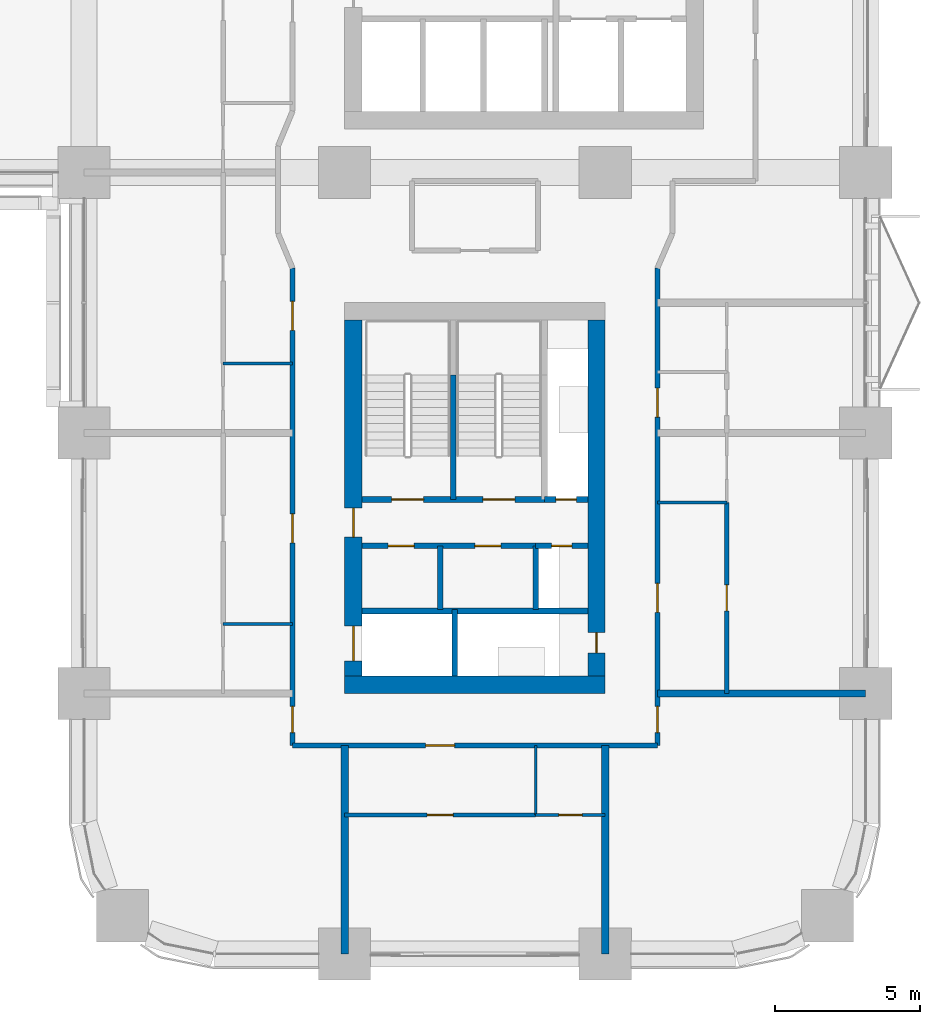
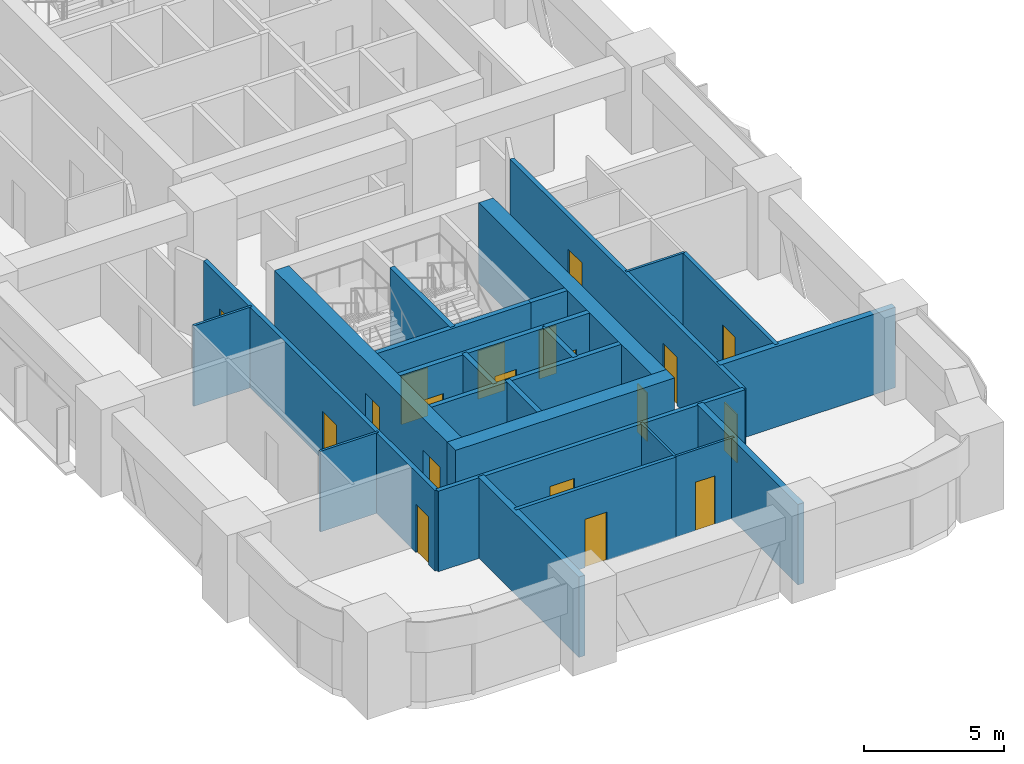
# One storey, part 12 of 18: 25 walls, 19 doors, 19 openings.
"""IFC4 building model written with IfcOpenShell, lengths in metres."""

from ifc_helpers import new_model, si_unit, direction, frame, frame_2d, origin, place, context, subcontext, project, spatial, rectangle, extrude, material, layer, layer_set, type_object, element, fill, save


model = new_model("IFC4")

# Units and contexts
model_context = context("Model", 3, precision=1e-05, world=origin(), true_north=direction((0.0, 1.0)))
body_context = subcontext(model_context, "Body", "Model", "MODEL_VIEW")
ifc_project = project(units=[si_unit("LENGTHUNIT", "METRE"), si_unit("AREAUNIT", "SQUARE_METRE"), si_unit("VOLUMEUNIT", "CUBIC_METRE"), si_unit("PLANEANGLEUNIT", "RADIAN"), si_unit("MASSUNIT", "GRAM", prefix="KILO")], contexts=[model_context])

# Site, building, storey
site_placement = place(None, origin())
site = spatial("IfcSite", under=ifc_project, at=site_placement, CompositionType="ELEMENT")
building_placement = place(site_placement, origin())
building = spatial("IfcBuilding", under=site, at=building_placement, Name="Tessera Arch", CompositionType="ELEMENT")
storey_placement = place(building_placement, frame((0.0, 0.0, 104.39990234375)))
storey = spatial("IfcBuildingStorey", under=building, at=storey_placement, Name="L24", CompositionType="ELEMENT", Elevation=104.39990234375)

# Wall
ifc_material_1 = material(Name="Gypsum board on steel stud", Category="steel")
ifc_layer_1 = layer(ifc_material_1, 0.125)
ifc_layer_set_1 = layer_set([ifc_layer_1], Name="Core partition 125 EI 60")
wall_type_1 = type_object("IfcWallType", Name="Core partition 125 EI 60", PredefinedType="PARTITIONING", material=ifc_layer_set_1)
wall_1_placement = place(storey_placement, frame((39.300048828125, 11.89990234375, 0.0), z_axis=(0.0, 0.0, 1.0), x_axis=(0.0, 1.0, 0.0)))
element("IfcWall", 1, at=wall_1_placement, inside=storey, type_object=wall_type_1, Name="L24 C3 partition wall 1", PredefinedType="PARTITIONING", context=body_context, shape_type="SweptSolid", body=[
    extrude(rectangle(XDim=2.2001953125, YDim=0.199951171875, at=frame_2d((1.10009765625, 0.0))), origin(), (0.0, 0.0, 1.0), 3.5),
])

# Wall, openings, doors
wall_2_placement = place(storey_placement, frame((36.60009765625, 14.10009765625, 0.0), z_axis=(0.0, 0.0, 1.0), x_axis=(1.0, 0.0, 0.0)))
wall_2 = element("IfcWall", 2, at=wall_2_placement, inside=storey, type_object=wall_type_1, Name="L24 C3 partition wall 9", PredefinedType="PARTITIONING", context=body_context, shape_type="SweptSolid", body=[
    extrude(rectangle(XDim=6.0, YDim=0.199951171875, at=frame_2d((3.0, 0.0))), origin(), (0.0, 0.0, 1.0), 3.5),
])
opening_1_placement = place(wall_2_placement, frame((0.89990234375, 0.0, 0.0)))
opening_1 = element("IfcOpeningElement", 3, at=opening_1_placement, cuts=wall_2, Name="Opening L24-C38", PredefinedType="OPENING", context=body_context, shape_type="SweptSolid", body=[
    extrude(rectangle(XDim=0.89990234375, YDim=2.10009765625, at=frame_2d((0.449951171875, 1.050048828125))), frame((0.0, 0.10986328125, 0.0), z_axis=(0.0, -1.0, 0.0), x_axis=(1.0, 0.0, 0.0)), (0.0, 0.0, 1.0), 0.219970703125),
])
opening_2_placement = place(wall_2_placement, frame((3.89990234375, 0.0, 0.0)))
opening_2 = element("IfcOpeningElement", 4, at=opening_2_placement, cuts=wall_2, Name="Opening L24-C39", PredefinedType="OPENING", context=body_context, shape_type="SweptSolid", body=[
    extrude(rectangle(XDim=0.89990234375, YDim=2.10009765625, at=frame_2d((0.449951171875, 1.050048828125))), frame((0.0, 0.10986328125, 0.0), z_axis=(0.0, -1.0, 0.0), x_axis=(1.0, 0.0, 0.0)), (0.0, 0.0, 1.0), 0.219970703125),
])
ifc_material_2 = material(Name="Steel door leaf", Category="steel")
door_type_1 = type_object("IfcDoorType", Name="Store door FD30S 900 x 2100", OperationType="SINGLE_SWING_LEFT", PredefinedType="DOOR", material=ifc_material_2)
door_1_placement = place(opening_1_placement, origin())
door_1 = element("IfcDoor", 5, at=door_1_placement, inside=storey, type_object=door_type_1, Name="L24 C3 door 8 C38 type D09", OperationType="SINGLE_SWING_LEFT", OverallHeight=2.10009765625, OverallWidth=0.89990234375, PredefinedType="DOOR", context=body_context, shape_type="SweptSolid", body=[
    extrude(rectangle(XDim=0.89990234375, YDim=2.10009765625, at=frame_2d((0.449951171875, 1.050048828125))), frame((0.0, 0.02490234375, 0.0), z_axis=(0.0, -1.0, 0.0), x_axis=(1.0, 0.0, 0.0)), (0.0, 0.0, 1.0), 0.050048828125),
])
fill(opening_1, door_1)
door_2_placement = place(opening_2_placement, origin())
door_2 = element("IfcDoor", 6, at=door_2_placement, inside=storey, type_object=door_type_1, Name="L24 C3 door 9 C39 type D09", OperationType="SINGLE_SWING_RIGHT", OverallHeight=2.10009765625, OverallWidth=0.89990234375, PredefinedType="DOOR", context=body_context, shape_type="SweptSolid", body=[
    extrude(rectangle(XDim=0.89990234375, YDim=2.10009765625, at=frame_2d((0.449951171875, 1.050048828125))), frame((0.0, 0.02490234375, 0.0), z_axis=(0.0, -1.0, 0.0), x_axis=(1.0, 0.0, 0.0)), (0.0, 0.0, 1.0), 0.050048828125),
])
fill(opening_2, door_2)

# Wall
ifc_material_3 = material(Name="Concrete C70/85", Category="concrete")
ifc_layer_2 = layer(ifc_material_3, 0.60009765625)
ifc_layer_set_2 = layer_set([ifc_layer_2], Name="Core shell wall 600 C70-85")
wall_type_2 = type_object("IfcWallType", Name="Core shell wall 600 C70-85", PredefinedType="SHEAR", material=ifc_layer_set_2)
wall_3_placement = place(storey_placement, frame((36.0, 9.300048828125, 0.0), z_axis=(0.0, 0.0, 1.0), x_axis=(1.0, 0.0, 0.0)))
element("IfcWall", 7, at=wall_3_placement, inside=storey, type_object=wall_type_2, Name="L24 C3 core wall S", PredefinedType="SHEAR", context=body_context, shape_type="SweptSolid", body=[
    extrude(rectangle(XDim=9.0, YDim=0.60009765625, at=frame_2d((4.5, 0.0))), origin(), (0.0, 0.0, 1.0), 3.5),
])

# Wall, openings, doors
wall_4_placement = place(storey_placement, frame((36.300048828125, 9.60009765625, 0.0), z_axis=(0.0, 0.0, 1.0), x_axis=(0.0, 1.0, 0.0)))
wall_4 = element("IfcWall", 8, at=wall_4_placement, inside=storey, type_object=wall_type_2, Name="L24 C3 core wall W", PredefinedType="SHEAR", context=body_context, shape_type="SweptSolid", body=[
    extrude(rectangle(XDim=12.2998046875, YDim=0.60009765625, at=frame_2d((6.14990234375, 0.0))), origin(), (0.0, 0.0, 1.0), 3.5),
])
opening_3_placement = place(wall_4_placement, frame((0.52490234375, 0.0, 0.0)))
opening_3 = element("IfcOpeningElement", 9, at=opening_3_placement, cuts=wall_4, Name="Opening L24-C31", PredefinedType="OPENING", context=body_context, shape_type="SweptSolid", body=[
    extrude(rectangle(XDim=1.199951171875, YDim=2.10009765625, at=frame_2d((0.60009765625, 1.050048828125))), frame((0.0, 0.31005859375, 0.0), z_axis=(0.0, -1.0, 0.0), x_axis=(1.0, 0.0, 0.0)), (0.0, 0.0, 1.0), 0.6201171875),
])
opening_4_placement = place(wall_4_placement, frame((4.800048828125, 0.0, 0.0)))
opening_4 = element("IfcOpeningElement", 10, at=opening_4_placement, cuts=wall_4, Name="Opening L24-C37", PredefinedType="OPENING", context=body_context, shape_type="SweptSolid", body=[
    extrude(rectangle(XDim=1.0, YDim=2.10009765625, at=frame_2d((0.5, 1.050048828125))), frame((0.0, 0.31005859375, 0.0), z_axis=(0.0, -1.0, 0.0), x_axis=(1.0, 0.0, 0.0)), (0.0, 0.0, 1.0), 0.6201171875),
])
ifc_material_4 = material(Name="Steel door leaf", Category="steel")
door_type_2 = type_object("IfcDoorType", Name="Corridor door FD60 1000 x 2100", OperationType="SINGLE_SWING_LEFT", PredefinedType="DOOR", material=ifc_material_4)
door_3_placement = place(opening_4_placement, origin())
door_3 = element("IfcDoor", 11, at=door_3_placement, inside=storey, type_object=door_type_2, Name="L24 C3 door 7 C37 type D12", OperationType="SINGLE_SWING_LEFT", OverallHeight=2.10009765625, OverallWidth=1.0, PredefinedType="DOOR", context=body_context, shape_type="SweptSolid", body=[
    extrude(rectangle(XDim=1.0, YDim=2.10009765625, at=frame_2d((0.5, 1.050048828125))), frame((0.0, 0.02490234375, 0.0), z_axis=(0.0, -1.0, 0.0), x_axis=(1.0, 0.0, 0.0)), (0.0, 0.0, 1.0), 0.050048828125),
])
fill(opening_4, door_3)
ifc_material_5 = material(Name="Stainless steel AISI 304", Category="steel")
door_type_3 = type_object("IfcDoorType", Name="Sliding landing door 1200 x 2100", OperationType="SLIDING_TO_LEFT", PredefinedType="DOOR", material=ifc_material_5)
door_4_placement = place(opening_3_placement, origin())
door_4 = element("IfcDoor", 12, at=door_4_placement, inside=storey, type_object=door_type_3, Name="L24 SV1 lift landing door C31 type LD", OperationType="SLIDING_TO_LEFT", OverallHeight=2.10009765625, OverallWidth=1.199951171875, PredefinedType="DOOR", context=body_context, shape_type="SweptSolid", body=[
    extrude(rectangle(XDim=1.199951171875, YDim=2.10009765625, at=frame_2d((0.60009765625, 1.050048828125))), frame((0.0, 0.02490234375, 0.0), z_axis=(0.0, -1.0, 0.0), x_axis=(1.0, 0.0, 0.0)), (0.0, 0.0, 1.0), 0.050048828125),
])
fill(opening_3, door_4)

# Wall, opening, door
wall_5_placement = place(storey_placement, frame((44.699951171875, 9.60009765625, 0.0), z_axis=(0.0, 0.0, 1.0), x_axis=(0.0, 1.0, 0.0)))
wall_5 = element("IfcWall", 13, at=wall_5_placement, inside=storey, type_object=wall_type_2, Name="L24 C3 core wall E", PredefinedType="SHEAR", context=body_context, shape_type="SweptSolid", body=[
    extrude(rectangle(XDim=12.2998046875, YDim=0.60009765625, at=frame_2d((6.14990234375, 0.0))), origin(), (0.0, 0.0, 1.0), 3.5),
])
opening_5_placement = place(wall_5_placement, frame((0.800048828125, 0.0, 0.0)))
opening_5 = element("IfcOpeningElement", 14, at=opening_5_placement, cuts=wall_5, Name="Opening L24-C36", PredefinedType="OPENING", context=body_context, shape_type="SweptSolid", body=[
    extrude(rectangle(XDim=0.699951171875, YDim=2.10009765625, at=frame_2d((0.35009765625, 1.050048828125))), frame((0.0, 0.31005859375, 0.0), z_axis=(0.0, -1.0, 0.0), x_axis=(1.0, 0.0, 0.0)), (0.0, 0.0, 1.0), 0.6201171875),
])
ifc_material_6 = material(Name="Steel door leaf", Category="steel")
door_type_4 = type_object("IfcDoorType", Name="Service shaft door FD60 700 x 2100", OperationType="SINGLE_SWING_LEFT", PredefinedType="DOOR", material=ifc_material_6)
door_5_placement = place(opening_5_placement, origin())
door_5 = element("IfcDoor", 15, at=door_5_placement, inside=storey, type_object=door_type_4, Name="L24 C3 door 6 C36 type D07", OperationType="SINGLE_SWING_LEFT", OverallHeight=2.10009765625, OverallWidth=0.699951171875, PredefinedType="DOOR", context=body_context, shape_type="SweptSolid", body=[
    extrude(rectangle(XDim=0.699951171875, YDim=2.10009765625, at=frame_2d((0.35009765625, 1.050048828125))), frame((0.0, 0.02490234375, 0.0), z_axis=(0.0, -1.0, 0.0), x_axis=(1.0, 0.0, 0.0)), (0.0, 0.0, 1.0), 0.050048828125),
])
fill(opening_5, door_5)

ifc_material_7 = material(Name="Gypsum board on deep steel stud with mineral wool", Category="steel")
ifc_layer_3 = layer(ifc_material_7, 0.175048828125)
ifc_layer_set_3 = layer_set([ifc_layer_3], Name="Corridor wall 175 EI 60")
wall_type_3 = type_object("IfcWallType", Name="Corridor wall 175 EI 60", PredefinedType="PARTITIONING", material=ifc_layer_set_3)
wall_6_placement = place(storey_placement, frame((34.199951171875, 7.199951171875, 0.0), z_axis=(0.0, 0.0, 1.0), x_axis=(1.0, 0.0, 0.0)))
wall_6 = element("IfcWall", 16, at=wall_6_placement, inside=storey, type_object=wall_type_3, Name="L24 partition 1", PredefinedType="PARTITIONING", context=body_context, shape_type="SweptSolid", body=[
    extrude(rectangle(XDim=12.60009765625, YDim=0.175048828125, at=frame_2d((6.300048828125, 0.0))), origin(), (0.0, 0.0, 1.0), 3.5),
])
opening_6_placement = place(wall_6_placement, frame((4.60009765625, 0.0, 0.0)))
opening_6 = element("IfcOpeningElement", 17, at=opening_6_placement, cuts=wall_6, Name="Opening L24-D001", PredefinedType="OPENING", context=body_context, shape_type="SweptSolid", body=[
    extrude(rectangle(XDim=1.0, YDim=2.10009765625, at=frame_2d((0.5, 1.050048828125))), frame((0.0, 0.097412109375, 0.0), z_axis=(0.0, -1.0, 0.0), x_axis=(1.0, 0.0, 0.0)), (0.0, 0.0, 1.0), 0.195068359375),
])
ifc_material_8 = material(Name="Fire-rated door leaf")
door_type_5 = type_object("IfcDoorType", Name="Entrance door FD30S 1000 x 2100", OperationType="SINGLE_SWING_LEFT", PredefinedType="DOOR", material=ifc_material_8)
door_6_placement = place(opening_6_placement, origin())
door_6 = element("IfcDoor", 18, at=door_6_placement, inside=storey, type_object=door_type_5, Name="L24 door D001 type D03", OperationType="SINGLE_SWING_RIGHT", OverallHeight=2.10009765625, OverallWidth=1.0, PredefinedType="DOOR", context=body_context, shape_type="SweptSolid", body=[
    extrude(rectangle(XDim=1.0, YDim=2.10009765625, at=frame_2d((0.5, 1.050048828125))), frame((0.0, 0.02490234375, 0.0), z_axis=(0.0, -1.0, 0.0), x_axis=(1.0, 0.0, 0.0)), (0.0, 0.0, 1.0), 0.050048828125),
])
fill(opening_6, door_6)

# Wall, openings, doors
wall_7_placement = place(storey_placement, frame((34.199951171875, 7.199951171875, 0.0), z_axis=(0.0, 0.0, 1.0), x_axis=(0.0, 1.0, 0.0)))
wall_7 = element("IfcWall", 19, at=wall_7_placement, inside=storey, type_object=wall_type_3, Name="L24 partition 12", PredefinedType="PARTITIONING", context=body_context, shape_type="SweptSolid", body=[
    extrude(rectangle(XDim=16.489990234375, YDim=0.175048828125, at=frame_2d((8.2451171875, 0.0))), origin(), (0.0, 0.0, 1.0), 3.5),
])
opening_7_placement = place(wall_7_placement, frame((0.449951171875, 0.0, 0.0)))
opening_7 = element("IfcOpeningElement", 20, at=opening_7_placement, cuts=wall_7, Name="Opening L24-D004", PredefinedType="OPENING", context=body_context, shape_type="SweptSolid", body=[
    extrude(rectangle(XDim=0.89990234375, YDim=2.10009765625, at=frame_2d((0.449951171875, 1.050048828125))), frame((0.0, 0.097412109375, 0.0), z_axis=(0.0, -1.0, 0.0), x_axis=(1.0, 0.0, 0.0)), (0.0, 0.0, 1.0), 0.195068359375),
])
opening_8_placement = place(wall_7_placement, frame((7.0, 0.0, 0.0)))
opening_8 = element("IfcOpeningElement", 21, at=opening_8_placement, cuts=wall_7, Name="Opening L24-D006", PredefinedType="OPENING", context=body_context, shape_type="SweptSolid", body=[
    extrude(rectangle(XDim=1.0, YDim=2.10009765625, at=frame_2d((0.5, 1.050048828125))), frame((0.0, 0.097412109375, 0.0), z_axis=(0.0, -1.0, 0.0), x_axis=(1.0, 0.0, 0.0)), (0.0, 0.0, 1.0), 0.195068359375),
])
opening_9_placement = place(wall_7_placement, frame((14.344970703125, 0.0, 0.0)))
opening_9 = element("IfcOpeningElement", 22, at=opening_9_placement, cuts=wall_7, Name="Opening L24-D015", PredefinedType="OPENING", context=body_context, shape_type="SweptSolid", body=[
    extrude(rectangle(XDim=1.0, YDim=2.10009765625, at=frame_2d((0.5, 1.050048828125))), frame((0.0, 0.097412109375, 0.0), z_axis=(0.0, -1.0, 0.0), x_axis=(1.0, 0.0, 0.0)), (0.0, 0.0, 1.0), 0.195068359375),
])
door_7_placement = place(opening_8_placement, origin())
door_7 = element("IfcDoor", 23, at=door_7_placement, inside=storey, type_object=door_type_5, Name="L24 door D006 type D03", OperationType="SINGLE_SWING_RIGHT", OverallHeight=2.10009765625, OverallWidth=1.0, PredefinedType="DOOR", context=body_context, shape_type="SweptSolid", body=[
    extrude(rectangle(XDim=1.0, YDim=2.10009765625, at=frame_2d((0.5, 1.050048828125))), frame((0.0, 0.02490234375, 0.0), z_axis=(0.0, -1.0, 0.0), x_axis=(1.0, 0.0, 0.0)), (0.0, 0.0, 1.0), 0.050048828125),
])
fill(opening_8, door_7)
door_8_placement = place(opening_9_placement, origin())
door_8 = element("IfcDoor", 24, at=door_8_placement, inside=storey, type_object=door_type_5, Name="L24 door D015 type D03", OperationType="SINGLE_SWING_LEFT", OverallHeight=2.10009765625, OverallWidth=1.0, PredefinedType="DOOR", context=body_context, shape_type="SweptSolid", body=[
    extrude(rectangle(XDim=1.0, YDim=2.10009765625, at=frame_2d((0.5, 1.050048828125))), frame((0.0, 0.02490234375, 0.0), z_axis=(0.0, -1.0, 0.0), x_axis=(1.0, 0.0, 0.0)), (0.0, 0.0, 1.0), 0.050048828125),
])
fill(opening_9, door_8)
ifc_material_9 = material(Name="Timber door leaf", Category="wood")
door_type_6 = type_object("IfcDoorType", Name="Room door 900 x 2100", OperationType="SINGLE_SWING_LEFT", PredefinedType="DOOR", material=ifc_material_9)
door_9_placement = place(opening_7_placement, origin())
door_9 = element("IfcDoor", 25, at=door_9_placement, inside=storey, type_object=door_type_6, Name="L24 door D004 type D01", OperationType="SINGLE_SWING_RIGHT", OverallHeight=2.10009765625, OverallWidth=0.89990234375, PredefinedType="DOOR", context=body_context, shape_type="SweptSolid", body=[
    extrude(rectangle(XDim=0.89990234375, YDim=2.10009765625, at=frame_2d((0.449951171875, 1.050048828125))), frame((0.0, 0.02490234375, 0.0), z_axis=(0.0, -1.0, 0.0), x_axis=(1.0, 0.0, 0.0)), (0.0, 0.0, 1.0), 0.050048828125),
])
fill(opening_7, door_9)

wall_8_placement = place(storey_placement, frame((46.800048828125, 7.199951171875, 0.0), z_axis=(0.0, 0.0, 1.0), x_axis=(0.0, 1.0, 0.0)))
wall_8 = element("IfcWall", 26, at=wall_8_placement, inside=storey, type_object=wall_type_3, Name="L24 partition 16", PredefinedType="PARTITIONING", context=body_context, shape_type="SweptSolid", body=[
    extrude(rectangle(XDim=16.489990234375, YDim=0.175048828125, at=frame_2d((8.2451171875, 0.0))), origin(), (0.0, 0.0, 1.0), 3.5),
])
opening_10_placement = place(wall_8_placement, frame((0.449951171875, 0.0, 0.0)))
opening_10 = element("IfcOpeningElement", 27, at=opening_10_placement, cuts=wall_8, Name="Opening L24-D005", PredefinedType="OPENING", context=body_context, shape_type="SweptSolid", body=[
    extrude(rectangle(XDim=0.89990234375, YDim=2.10009765625, at=frame_2d((0.449951171875, 1.050048828125))), frame((0.0, 0.097412109375, 0.0), z_axis=(0.0, -1.0, 0.0), x_axis=(1.0, 0.0, 0.0)), (0.0, 0.0, 1.0), 0.195068359375),
])
opening_11_placement = place(wall_8_placement, frame((4.60009765625, 0.0, 0.0)))
opening_11 = element("IfcOpeningElement", 28, at=opening_11_placement, cuts=wall_8, Name="Opening L24-D009", PredefinedType="OPENING", context=body_context, shape_type="SweptSolid", body=[
    extrude(rectangle(XDim=1.0, YDim=2.10009765625, at=frame_2d((0.5, 1.050048828125))), frame((0.0, 0.097412109375, 0.0), z_axis=(0.0, -1.0, 0.0), x_axis=(1.0, 0.0, 0.0)), (0.0, 0.0, 1.0), 0.195068359375),
])
opening_12_placement = place(wall_8_placement, frame((11.35009765625, 0.0, 0.0)))
opening_12 = element("IfcOpeningElement", 29, at=opening_12_placement, cuts=wall_8, Name="Opening L24-D012", PredefinedType="OPENING", context=body_context, shape_type="SweptSolid", body=[
    extrude(rectangle(XDim=1.0, YDim=2.10009765625, at=frame_2d((0.5, 1.050048828125))), frame((0.0, 0.097412109375, 0.0), z_axis=(0.0, -1.0, 0.0), x_axis=(1.0, 0.0, 0.0)), (0.0, 0.0, 1.0), 0.195068359375),
])
door_10_placement = place(opening_11_placement, origin())
door_10 = element("IfcDoor", 30, at=door_10_placement, inside=storey, type_object=door_type_5, Name="L24 door D009 type D03", OperationType="SINGLE_SWING_RIGHT", OverallHeight=2.10009765625, OverallWidth=1.0, PredefinedType="DOOR", context=body_context, shape_type="SweptSolid", body=[
    extrude(rectangle(XDim=1.0, YDim=2.10009765625, at=frame_2d((0.5, 1.050048828125))), frame((0.0, 0.02490234375, 0.0), z_axis=(0.0, -1.0, 0.0), x_axis=(1.0, 0.0, 0.0)), (0.0, 0.0, 1.0), 0.050048828125),
])
fill(opening_11, door_10)
door_11_placement = place(opening_12_placement, origin())
door_11 = element("IfcDoor", 31, at=door_11_placement, inside=storey, type_object=door_type_5, Name="L24 door D012 type D03", OperationType="SINGLE_SWING_LEFT", OverallHeight=2.10009765625, OverallWidth=1.0, PredefinedType="DOOR", context=body_context, shape_type="SweptSolid", body=[
    extrude(rectangle(XDim=1.0, YDim=2.10009765625, at=frame_2d((0.5, 1.050048828125))), frame((0.0, 0.02490234375, 0.0), z_axis=(0.0, -1.0, 0.0), x_axis=(1.0, 0.0, 0.0)), (0.0, 0.0, 1.0), 0.050048828125),
])
fill(opening_12, door_11)
door_12_placement = place(opening_10_placement, origin())
door_12 = element("IfcDoor", 32, at=door_12_placement, inside=storey, type_object=door_type_6, Name="L24 door D005 type D01", OperationType="SINGLE_SWING_RIGHT", OverallHeight=2.10009765625, OverallWidth=0.89990234375, PredefinedType="DOOR", context=body_context, shape_type="SweptSolid", body=[
    extrude(rectangle(XDim=0.89990234375, YDim=2.10009765625, at=frame_2d((0.449951171875, 1.050048828125))), frame((0.0, 0.02490234375, 0.0), z_axis=(0.0, -1.0, 0.0), x_axis=(1.0, 0.0, 0.0)), (0.0, 0.0, 1.0), 0.050048828125),
])
fill(opening_10, door_12)

# Wall, opening, door
ifc_material_10 = material(Name="Gypsum board on steel stud", Category="steel")
ifc_layer_4 = layer(ifc_material_10, 0.14990234375)
ifc_layer_set_4 = layer_set([ifc_layer_4], Name="Partition 150")
wall_type_4 = type_object("IfcWallType", Name="Partition 150", PredefinedType="PARTITIONING", material=ifc_layer_set_4)
wall_9_placement = place(storey_placement, frame((36.0, 4.800048828125, 0.0), z_axis=(0.0, 0.0, 1.0), x_axis=(1.0, 0.0, 0.0)))
wall_9 = element("IfcWall", 33, at=wall_9_placement, inside=storey, type_object=wall_type_4, Name="L24 partition 19", PredefinedType="PARTITIONING", context=body_context, shape_type="SweptSolid", body=[
    extrude(rectangle(XDim=6.60009765625, YDim=0.14990234375, at=frame_2d((3.300048828125, 0.0))), origin(), (0.0, 0.0, 1.0), 3.5),
])
opening_13_placement = place(wall_9_placement, frame((2.85009765625, 0.0, 0.0)))
opening_13 = element("IfcOpeningElement", 34, at=opening_13_placement, cuts=wall_9, Name="Opening L24-D002", PredefinedType="OPENING", context=body_context, shape_type="SweptSolid", body=[
    extrude(rectangle(XDim=0.89990234375, YDim=2.10009765625, at=frame_2d((0.449951171875, 1.050048828125))), frame((0.0, 0.0849609375, 0.0), z_axis=(0.0, -1.0, 0.0), x_axis=(1.0, 0.0, 0.0)), (0.0, 0.0, 1.0), 0.169921875),
])
door_13_placement = place(opening_13_placement, origin())
door_13 = element("IfcDoor", 35, at=door_13_placement, inside=storey, type_object=door_type_6, Name="L24 door D002 type D01", OperationType="SINGLE_SWING_LEFT", OverallHeight=2.10009765625, OverallWidth=0.89990234375, PredefinedType="DOOR", context=body_context, shape_type="SweptSolid", body=[
    extrude(rectangle(XDim=0.89990234375, YDim=2.10009765625, at=frame_2d((0.449951171875, 1.050048828125))), frame((0.0, 0.02490234375, 0.0), z_axis=(0.0, -1.0, 0.0), x_axis=(1.0, 0.0, 0.0)), (0.0, 0.0, 1.0), 0.050048828125),
])
fill(opening_13, door_13)

wall_10_placement = place(storey_placement, frame((49.199951171875, 9.0, 0.0), z_axis=(0.0, 0.0, 1.0), x_axis=(0.0, 1.0, 0.0)))
wall_10 = element("IfcWall", 36, at=wall_10_placement, inside=storey, type_object=wall_type_4, Name="L24 partition 23", PredefinedType="PARTITIONING", context=body_context, shape_type="SweptSolid", body=[
    extrude(rectangle(XDim=6.60009765625, YDim=0.14990234375, at=frame_2d((3.300048828125, 0.0))), origin(), (0.0, 0.0, 1.0), 3.5),
])
opening_14_placement = place(wall_10_placement, frame((2.85009765625, 0.0, 0.0)))
opening_14 = element("IfcOpeningElement", 37, at=opening_14_placement, cuts=wall_10, Name="Opening L24-D010", PredefinedType="OPENING", context=body_context, shape_type="SweptSolid", body=[
    extrude(rectangle(XDim=0.89990234375, YDim=2.10009765625, at=frame_2d((0.449951171875, 1.050048828125))), frame((0.0, 0.0849609375, 0.0), z_axis=(0.0, -1.0, 0.0), x_axis=(1.0, 0.0, 0.0)), (0.0, 0.0, 1.0), 0.169921875),
])
door_14_placement = place(opening_14_placement, origin())
door_14 = element("IfcDoor", 38, at=door_14_placement, inside=storey, type_object=door_type_6, Name="L24 door D010 type D01", OperationType="SINGLE_SWING_LEFT", OverallHeight=2.10009765625, OverallWidth=0.89990234375, PredefinedType="DOOR", context=body_context, shape_type="SweptSolid", body=[
    extrude(rectangle(XDim=0.89990234375, YDim=2.10009765625, at=frame_2d((0.449951171875, 1.050048828125))), frame((0.0, 0.02490234375, 0.0), z_axis=(0.0, -1.0, 0.0), x_axis=(1.0, 0.0, 0.0)), (0.0, 0.0, 1.0), 0.050048828125),
])
fill(opening_14, door_14)

# Walls
ifc_material_11 = material(Name="Double gypsum board on twin steel stud with acoustic mineral wool", Category="steel")
ifc_layer_5 = layer(ifc_material_11, 0.25)
ifc_layer_set_5 = layer_set([ifc_layer_5], Name="Party wall 250 EI 60")
wall_type_5 = type_object("IfcWallType", Name="Party wall 250 EI 60", PredefinedType="PARTITIONING", material=ifc_layer_set_5)
for number, where, z_axis, x_axis, name in (
    (39, (46.800048828125, 9.0, 0.0), (0.0, 0.0, 1.0), (1.0, 0.0, 0.0), "L24 partition 26"),
    (40, (36.0, 0.0, 0.0), (0.0, 0.0, 1.0), (0.0, 1.0, 0.0), "L24 partition 44"),
    (41, (45.0, 0.0, 0.0), (0.0, 0.0, 1.0), (0.0, 1.0, 0.0), "L24 partition 46"),
):
    element("IfcWall", number, at=place(storey_placement, frame(where, z_axis=z_axis, x_axis=x_axis)), inside=storey, type_object=wall_type_5, Name=name, PredefinedType="PARTITIONING", context=body_context, shape_type="SweptSolid", body=[
        extrude(rectangle(XDim=7.199951171875, YDim=0.25, at=frame_2d((3.60009765625, 0.0))), origin(), (0.0, 0.0, 1.0), 3.5),
    ])
ifc_material_12 = material(Name="Concrete C40/50", Category="concrete")
ifc_layer_6 = layer(ifc_material_12, 0.199951171875)
ifc_layer_set_6 = layer_set([ifc_layer_6], Name="Shaft wall 200 EI 120")
wall_type_6 = type_object("IfcWallType", Name="Shaft wall 200 EI 120", PredefinedType="SOLIDWALL", material=ifc_layer_set_6)
wall_11_placement = place(storey_placement, frame((39.800048828125, 9.60009765625, 0.0), z_axis=(0.0, 0.0, 1.0), x_axis=(0.0, 1.0, 0.0)))
element("IfcWall", 42, at=wall_11_placement, inside=storey, type_object=wall_type_6, Name="L24 C3 shaft wall 4", PredefinedType="SOLIDWALL", context=body_context, shape_type="SweptSolid", body=[
    extrude(rectangle(XDim=2.2998046875, YDim=0.199951171875, at=frame_2d((1.14990234375, 0.0))), origin(), (0.0, 0.0, 1.0), 3.5),
])
wall_12_placement = place(storey_placement, frame((42.60009765625, 11.89990234375, 0.0), z_axis=(0.0, 0.0, 1.0), x_axis=(0.0, 1.0, 0.0)))
element("IfcWall", 43, at=wall_12_placement, inside=storey, type_object=wall_type_6, Name="L24 C3 shaft wall 5", PredefinedType="SOLIDWALL", context=body_context, shape_type="SweptSolid", body=[
    extrude(rectangle(XDim=2.2001953125, YDim=0.199951171875, at=frame_2d((1.10009765625, 0.0))), origin(), (0.0, 0.0, 1.0), 3.5),
])
wall_13_placement = place(storey_placement, frame((36.60009765625, 11.85009765625, 0.0), z_axis=(0.0, 0.0, 1.0), x_axis=(1.0, 0.0, 0.0)))
element("IfcWall", 44, at=wall_13_placement, inside=storey, type_object=wall_type_6, Name="L24 C3 shaft wall 8", PredefinedType="SOLIDWALL", context=body_context, shape_type="SweptSolid", body=[
    extrude(rectangle(XDim=7.7998046875, YDim=0.199951171875, at=frame_2d((3.89990234375, 0.0))), origin(), (0.0, 0.0, 1.0), 3.5),
])

# Wall, opening, door
wall_14_placement = place(storey_placement, frame((42.60009765625, 14.10009765625, 0.0), z_axis=(0.0, 0.0, 1.0), x_axis=(1.0, 0.0, 0.0)))
wall_14 = element("IfcWall", 45, at=wall_14_placement, inside=storey, type_object=wall_type_6, Name="L24 C3 shaft wall 10", PredefinedType="SOLIDWALL", context=body_context, shape_type="SweptSolid", body=[
    extrude(rectangle(XDim=1.7998046875, YDim=0.199951171875, at=frame_2d((0.89990234375, 0.0))), origin(), (0.0, 0.0, 1.0), 3.5),
])
opening_15_placement = place(wall_14_placement, frame((0.550048828125, 0.0, 0.0)))
opening_15 = element("IfcOpeningElement", 46, at=opening_15_placement, cuts=wall_14, Name="Opening L24-C35", PredefinedType="OPENING", context=body_context, shape_type="SweptSolid", body=[
    extrude(rectangle(XDim=0.699951171875, YDim=2.10009765625, at=frame_2d((0.35009765625, 1.050048828125))), frame((0.0, 0.10986328125, 0.0), z_axis=(0.0, -1.0, 0.0), x_axis=(1.0, 0.0, 0.0)), (0.0, 0.0, 1.0), 0.219970703125),
])
door_15_placement = place(opening_15_placement, origin())
door_15 = element("IfcDoor", 47, at=door_15_placement, inside=storey, type_object=door_type_4, Name="L24 C3 door 5 C35 type D07", OperationType="SINGLE_SWING_RIGHT", OverallHeight=2.10009765625, OverallWidth=0.699951171875, PredefinedType="DOOR", context=body_context, shape_type="SweptSolid", body=[
    extrude(rectangle(XDim=0.699951171875, YDim=2.10009765625, at=frame_2d((0.35009765625, 1.050048828125))), frame((0.0, 0.02490234375, 0.0), z_axis=(0.0, -1.0, 0.0), x_axis=(1.0, 0.0, 0.0)), (0.0, 0.0, 1.0), 0.050048828125),
])
fill(opening_15, door_15)

wall_15_placement = place(storey_placement, frame((42.89990234375, 15.699951171875, 0.0), z_axis=(0.0, 0.0, 1.0), x_axis=(1.0, 0.0, 0.0)))
wall_15 = element("IfcWall", 48, at=wall_15_placement, inside=storey, type_object=wall_type_6, Name="L24 C3 shaft wall 11", PredefinedType="SOLIDWALL", context=body_context, shape_type="SweptSolid", body=[
    extrude(rectangle(XDim=1.5, YDim=0.199951171875, at=frame_2d((0.75, 0.0))), origin(), (0.0, 0.0, 1.0), 3.5),
])
opening_16_placement = place(wall_15_placement, frame((0.39990234375, 0.0, 0.0)))
opening_16 = element("IfcOpeningElement", 49, at=opening_16_placement, cuts=wall_15, Name="Opening L24-C34", PredefinedType="OPENING", context=body_context, shape_type="SweptSolid", body=[
    extrude(rectangle(XDim=0.699951171875, YDim=2.10009765625, at=frame_2d((0.35009765625, 1.050048828125))), frame((0.0, 0.10986328125, 0.0), z_axis=(0.0, -1.0, 0.0), x_axis=(1.0, 0.0, 0.0)), (0.0, 0.0, 1.0), 0.219970703125),
])
door_16_placement = place(opening_16_placement, origin())
door_16 = element("IfcDoor", 50, at=door_16_placement, inside=storey, type_object=door_type_4, Name="L24 C3 door 4 C34 type D07", OperationType="SINGLE_SWING_LEFT", OverallHeight=2.10009765625, OverallWidth=0.699951171875, PredefinedType="DOOR", context=body_context, shape_type="SweptSolid", body=[
    extrude(rectangle(XDim=0.699951171875, YDim=2.10009765625, at=frame_2d((0.35009765625, 1.050048828125))), frame((0.0, 0.02490234375, 0.0), z_axis=(0.0, -1.0, 0.0), x_axis=(1.0, 0.0, 0.0)), (0.0, 0.0, 1.0), 0.050048828125),
])
fill(opening_16, door_16)

# Wall
ifc_material_13 = material(Name="Concrete C40/50", Category="concrete")
ifc_layer_7 = layer(ifc_material_13, 0.199951171875)
ifc_layer_set_7 = layer_set([ifc_layer_7], Name="Stair well wall 200 REI 180")
wall_type_7 = type_object("IfcWallType", Name="Stair well wall 200 REI 180", PredefinedType="SOLIDWALL", material=ifc_layer_set_7)
wall_16_placement = place(storey_placement, frame((39.75, 15.699951171875, 0.0), z_axis=(0.0, 0.0, 1.0), x_axis=(0.0, 1.0, 0.0)))
element("IfcWall", 51, at=wall_16_placement, inside=storey, type_object=wall_type_7, Name="L24 C3 shaft wall 2", PredefinedType="SOLIDWALL", context=body_context, shape_type="SweptSolid", body=[
    extrude(rectangle(XDim=4.300048828125, YDim=0.199951171875, at=frame_2d((2.14990234375, 0.0))), origin(), (0.0, 0.0, 1.0), 3.5),
])

# Wall, openings, doors
wall_17_placement = place(storey_placement, frame((36.60009765625, 15.699951171875, 0.0), z_axis=(0.0, 0.0, 1.0), x_axis=(1.0, 0.0, 0.0)))
wall_17 = element("IfcWall", 52, at=wall_17_placement, inside=storey, type_object=wall_type_7, Name="L24 C3 shaft wall 12", PredefinedType="SOLIDWALL", context=body_context, shape_type="SweptSolid", body=[
    extrude(rectangle(XDim=6.2998046875, YDim=0.199951171875, at=frame_2d((3.14990234375, 0.0))), origin(), (0.0, 0.0, 1.0), 3.5),
])
opening_17_placement = place(wall_17_placement, frame((1.02490234375, 0.0, 0.0)))
opening_17 = element("IfcOpeningElement", 53, at=opening_17_placement, cuts=wall_17, Name="Opening L24-C32", PredefinedType="OPENING", context=body_context, shape_type="SweptSolid", body=[
    extrude(rectangle(XDim=1.10009765625, YDim=2.10009765625, at=frame_2d((0.550048828125, 1.050048828125))), frame((0.0, 0.10986328125, 0.0), z_axis=(0.0, -1.0, 0.0), x_axis=(1.0, 0.0, 0.0)), (0.0, 0.0, 1.0), 0.219970703125),
])
opening_18_placement = place(wall_17_placement, frame((4.175048828125, 0.0, 0.0)))
opening_18 = element("IfcOpeningElement", 54, at=opening_18_placement, cuts=wall_17, Name="Opening L24-C33", PredefinedType="OPENING", context=body_context, shape_type="SweptSolid", body=[
    extrude(rectangle(XDim=1.10009765625, YDim=2.10009765625, at=frame_2d((0.550048828125, 1.050048828125))), frame((0.0, 0.10986328125, 0.0), z_axis=(0.0, -1.0, 0.0), x_axis=(1.0, 0.0, 0.0)), (0.0, 0.0, 1.0), 0.219970703125),
])
ifc_material_14 = material(Name="Steel door leaf", Category="steel")
door_type_7 = type_object("IfcDoorType", Name="Stair door FD60 1100 x 2100", OperationType="SINGLE_SWING_LEFT", PredefinedType="DOOR", material=ifc_material_14)
door_17_placement = place(opening_17_placement, origin())
door_17 = element("IfcDoor", 55, at=door_17_placement, inside=storey, type_object=door_type_7, Name="L24 C3 door 2 C32 type D05", OperationType="SINGLE_SWING_LEFT", OverallHeight=2.10009765625, OverallWidth=1.10009765625, PredefinedType="DOOR", context=body_context, shape_type="SweptSolid", body=[
    extrude(rectangle(XDim=1.10009765625, YDim=2.10009765625, at=frame_2d((0.550048828125, 1.050048828125))), frame((0.0, 0.02490234375, 0.0), z_axis=(0.0, -1.0, 0.0), x_axis=(1.0, 0.0, 0.0)), (0.0, 0.0, 1.0), 0.050048828125),
])
fill(opening_17, door_17)
door_18_placement = place(opening_18_placement, origin())
door_18 = element("IfcDoor", 56, at=door_18_placement, inside=storey, type_object=door_type_7, Name="L24 C3 door 3 C33 type D05", OperationType="SINGLE_SWING_RIGHT", OverallHeight=2.10009765625, OverallWidth=1.10009765625, PredefinedType="DOOR", context=body_context, shape_type="SweptSolid", body=[
    extrude(rectangle(XDim=1.10009765625, YDim=2.10009765625, at=frame_2d((0.550048828125, 1.050048828125))), frame((0.0, 0.02490234375, 0.0), z_axis=(0.0, -1.0, 0.0), x_axis=(1.0, 0.0, 0.0)), (0.0, 0.0, 1.0), 0.050048828125),
])
fill(opening_18, door_18)

# Wall, opening, door
ifc_material_15 = material(Name="Moisture-resistant board on pre-plumbed steel stud", Category="steel")
ifc_layer_8 = layer(ifc_material_15, 0.10009765625)
ifc_layer_set_8 = layer_set([ifc_layer_8], Name="Wet wall 100")
wall_type_8 = type_object("IfcWallType", Name="Wet wall 100", PredefinedType="PARTITIONING", material=ifc_layer_set_8)
wall_18_placement = place(storey_placement, frame((42.60009765625, 4.800048828125, 0.0), z_axis=(0.0, 0.0, 1.0), x_axis=(1.0, 0.0, 0.0)))
wall_18 = element("IfcWall", 57, at=wall_18_placement, inside=storey, type_object=wall_type_8, Name="L24 partition 47", PredefinedType="PARTITIONING", context=body_context, shape_type="SweptSolid", body=[
    extrude(rectangle(XDim=2.39990234375, YDim=0.10009765625, at=frame_2d((1.199951171875, 0.0))), origin(), (0.0, 0.0, 1.0), 3.5),
])
opening_19_placement = place(wall_18_placement, frame((0.800048828125, 0.0, 0.0)))
opening_19 = element("IfcOpeningElement", 58, at=opening_19_placement, cuts=wall_18, Name="Opening L24-D003", PredefinedType="OPENING", context=body_context, shape_type="SweptSolid", body=[
    extrude(rectangle(XDim=0.800048828125, YDim=2.10009765625, at=frame_2d((0.39990234375, 1.050048828125))), frame((0.0, 0.06005859375, 0.0), z_axis=(0.0, -1.0, 0.0), x_axis=(1.0, 0.0, 0.0)), (0.0, 0.0, 1.0), 0.1201171875),
])
ifc_material_16 = material(Name="Timber door leaf", Category="wood")
door_type_8 = type_object("IfcDoorType", Name="En-suite door 800 x 2100", OperationType="SINGLE_SWING_LEFT", PredefinedType="DOOR", material=ifc_material_16)
door_19_placement = place(opening_19_placement, origin())
door_19 = element("IfcDoor", 59, at=door_19_placement, inside=storey, type_object=door_type_8, Name="L24 door D003 type D02", OperationType="SINGLE_SWING_RIGHT", OverallHeight=2.10009765625, OverallWidth=0.800048828125, PredefinedType="DOOR", context=body_context, shape_type="SweptSolid", body=[
    extrude(rectangle(XDim=0.800048828125, YDim=2.10009765625, at=frame_2d((0.39990234375, 1.050048828125))), frame((0.0, 0.02490234375, 0.0), z_axis=(0.0, -1.0, 0.0), x_axis=(1.0, 0.0, 0.0)), (0.0, 0.0, 1.0), 0.050048828125),
])
fill(opening_19, door_19)

# Walls
for number, where, z_axis, x_axis, name in (
    (60, (31.800048828125, 11.39990234375, 0.0), (0.0, 0.0, 1.0), (1.0, 0.0, 0.0), "L24 partition 48"),
    (61, (46.800048828125, 15.60009765625, 0.0), (0.0, 0.0, 1.0), (1.0, 0.0, 0.0), "L24 partition 49"),
    (62, (31.800048828125, 20.39990234375, 0.0), (0.0, 0.0, 1.0), (1.0, 0.0, 0.0), "L24 partition 51"),
    (63, (42.60009765625, 4.800048828125, 0.0), (0.0, 0.0, 1.0), (0.0, 1.0, 0.0), "L24 partition 56"),
):
    element("IfcWall", number, at=place(storey_placement, frame(where, z_axis=z_axis, x_axis=x_axis)), inside=storey, type_object=wall_type_8, Name=name, PredefinedType="PARTITIONING", context=body_context, shape_type="SweptSolid", body=[
        extrude(rectangle(XDim=2.39990234375, YDim=0.10009765625, at=frame_2d((1.199951171875, 0.0))), origin(), (0.0, 0.0, 1.0), 3.5),
    ])

save(model, "model.ifc")
